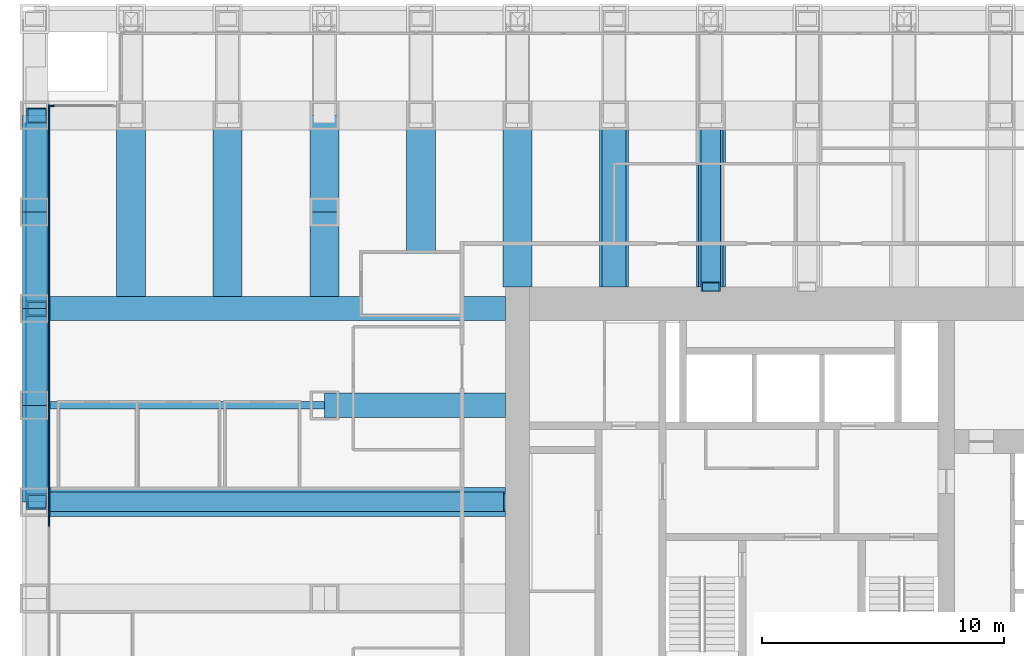
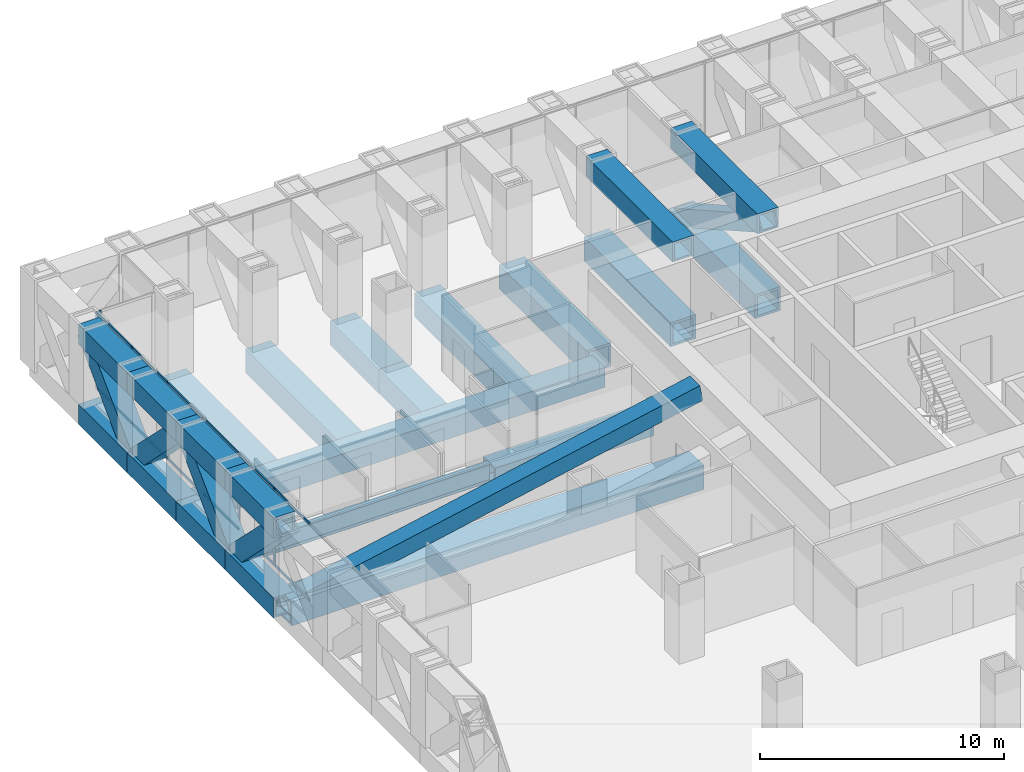
# One storey, part 7 of 18: 25 members, 22 beams, 2 elements without a shape of their own.
"""IFC4 building model written with IfcOpenShell, lengths in metres."""

from ifc_helpers import new_model, si_unit, direction, frame, origin, origin_2d, place, context, subcontext, project, spatial, rectangle, hollow_rectangle, i_section, extrude, material, material_profile, profile_set, type_object, element, aggregate, save


model = new_model("IFC4")

# Units and contexts
model_context = context("Model", 3, precision=1e-05, world=origin(), true_north=direction((0.0, 1.0)))
body_context = subcontext(model_context, "Body", "Model", "MODEL_VIEW")
ifc_project = project(units=[si_unit("LENGTHUNIT", "METRE"), si_unit("AREAUNIT", "SQUARE_METRE"), si_unit("VOLUMEUNIT", "CUBIC_METRE"), si_unit("PLANEANGLEUNIT", "RADIAN"), si_unit("MASSUNIT", "GRAM", prefix="KILO")], contexts=[model_context])

# Site, building, storey
site_placement = place(None, origin())
site = spatial("IfcSite", under=ifc_project, at=site_placement, CompositionType="ELEMENT")
building_placement = place(site_placement, origin())
building = spatial("IfcBuilding", under=site, at=building_placement, Name="Rimbunsela Tower", CompositionType="ELEMENT")
storey_placement = place(building_placement, frame((0.0, 0.0, 43.0)))
storey = spatial("IfcBuildingStorey", under=building, at=storey_placement, Name="L10", CompositionType="ELEMENT", Elevation=43.0)

# Beams
ifc_material_1 = material(Name="Steel BJ 55 (fy 410 MPa)", Category="steel")
ifc_material_profile_1 = material_profile(ifc_material_1, hollow_rectangle(XDim=1.0, YDim=1.0, WallThickness=0.10009765625, at=origin_2d()), Name="BOX 1000x1000x100")
ifc_profile_set_1 = profile_set([ifc_material_profile_1], Name="Steel BJ 55 (fy 410 MPa)")
beam_type_1 = type_object("IfcBeamType", Name="Beam BOX 1000x1000x100", PredefinedType="BEAM", material=ifc_profile_set_1)
beam_1_placement = place(storey_placement, frame((-2.0, 36.0, -0.64990234375), z_axis=(1.0, 0.0, 0.0), x_axis=(0.0, 1.0, 0.0)))
element("IfcBeam", 1, at=beam_1_placement, inside=storey, type_object=beam_type_1, Name="Beam B3 L10", PredefinedType="BEAM", context=body_context, shape_type="SweptSolid", body=[
    extrude(hollow_rectangle(XDim=1.0, YDim=1.0, WallThickness=0.10009765625, at=origin_2d()), origin(), (0.0, 0.0, 1.0), 19.5),
])
beam_2_placement = place(storey_placement, frame((10.0, 32.0, -0.64990234375), z_axis=(1.0, 0.0, 0.0), x_axis=(0.0, 1.0, 0.0)))
element("IfcBeam", 2, at=beam_2_placement, inside=storey, type_object=beam_type_1, Name="Beam B3 L10", PredefinedType="BEAM", context=body_context, shape_type="SweptSolid", body=[
    extrude(hollow_rectangle(XDim=1.0, YDim=1.0, WallThickness=0.10009765625, at=origin_2d()), origin(), (0.0, 0.0, 1.0), 7.5),
])
ifc_material_2 = material(Name="Steel BJ 55 (fy 410 MPa)", Category="steel")
ifc_material_profile_2 = material_profile(ifc_material_2, hollow_rectangle(XDim=1.199951171875, YDim=1.199951171875, WallThickness=0.10009765625, at=origin_2d()), Name="BOX 1200x1200x100")
ifc_profile_set_2 = profile_set([ifc_material_profile_2], Name="Steel BJ 55 (fy 410 MPa)")
beam_type_2 = type_object("IfcBeamType", Name="Beam BOX 1200x1200x100", PredefinedType="BEAM", material=ifc_profile_set_2)
beam_3_placement = place(storey_placement, frame((-2.0, 28.0, -0.75), z_axis=(1.0, 0.0, 0.0), x_axis=(0.0, 1.0, 0.0)))
element("IfcBeam", 3, at=beam_3_placement, inside=storey, type_object=beam_type_2, Name="Beam B5 L10", PredefinedType="BEAM", context=body_context, shape_type="SweptSolid", body=[
    extrude(hollow_rectangle(XDim=1.199951171875, YDim=1.199951171875, WallThickness=0.10009765625, at=origin_2d()), origin(), (0.0, 0.0, 1.0), 19.5),
])
beam_4_placement = place(storey_placement, frame((10.0, 36.5, -0.75), z_axis=(0.0, 1.0, 0.0), x_axis=(-1.0, 0.0, 0.0)))
element("IfcBeam", 4, at=beam_4_placement, inside=storey, type_object=beam_type_2, Name="Beam B5 L10", PredefinedType="BEAM", context=body_context, shape_type="SweptSolid", body=[
    extrude(hollow_rectangle(XDim=1.199951171875, YDim=1.199951171875, WallThickness=0.10009765625, at=origin_2d()), origin(), (0.0, 0.0, 1.0), 3.5),
])
ifc_material_3 = material(Name="Steel BJ 55 (fy 410 MPa)", Category="steel")
ifc_material_profile_3 = material_profile(ifc_material_3, hollow_rectangle(XDim=1.199951171875, YDim=1.199951171875, WallThickness=0.125, at=origin_2d()), Name="BOX 1200x1200x125")
ifc_profile_set_3 = profile_set([ifc_material_profile_3], Name="Steel BJ 55 (fy 410 MPa)")
beam_type_3 = type_object("IfcBeamType", Name="Beam BOX 1200x1200x125", PredefinedType="BEAM", material=ifc_profile_set_3)
for number, where, z_axis, x_axis, name in (
    (5, (2.0, 36.5, -0.75), (0.0, 1.0, 0.0), (-1.0, 0.0, 0.0), "Beam B4 L10"),
    (6, (6.0, 36.5, -0.75), (0.0, 1.0, 0.0), (-1.0, 0.0, 0.0), "Beam B4 L10"),
):
    element("IfcBeam", number, at=place(storey_placement, frame(where, z_axis=z_axis, x_axis=x_axis)), inside=storey, type_object=beam_type_3, Name=name, PredefinedType="BEAM", context=body_context, shape_type="SweptSolid", body=[
        extrude(hollow_rectangle(XDim=1.199951171875, YDim=1.199951171875, WallThickness=0.125, at=origin_2d()), origin(), (0.0, 0.0, 1.0), 7.5),
    ])
beam_5_placement = place(storey_placement, frame((10.0, 40.0, -0.75), z_axis=(0.0, 1.0, 0.0), x_axis=(-1.0, 0.0, 0.0)))
element("IfcBeam", 7, at=beam_5_placement, inside=storey, type_object=beam_type_3, Name="Beam B4 L10", PredefinedType="BEAM", context=body_context, shape_type="SweptSolid", body=[
    extrude(hollow_rectangle(XDim=1.199951171875, YDim=1.199951171875, WallThickness=0.125, at=origin_2d()), origin(), (0.0, 0.0, 1.0), 4.0),
])
beam_6_placement = place(storey_placement, frame((14.0, 36.5, -0.75), z_axis=(0.0, 1.0, 0.0), x_axis=(-1.0, 0.0, 0.0)))
element("IfcBeam", 8, at=beam_6_placement, inside=storey, type_object=beam_type_3, Name="Beam B4 L10", PredefinedType="BEAM", context=body_context, shape_type="SweptSolid", body=[
    extrude(hollow_rectangle(XDim=1.199951171875, YDim=1.199951171875, WallThickness=0.125, at=origin_2d()), origin(), (0.0, 0.0, 1.0), 7.5),
])
for number, where, z_axis, x_axis, name in (
    (9, (18.0, 36.89990234375, -0.75), (0.0, 1.0, 0.0), (-1.0, 0.0, 0.0), "Beam B4 L10"),
    (10, (22.0, 36.89990234375, -0.75), (0.0, 1.0, 0.0), (-1.0, 0.0, 0.0), "Beam B4 L10"),
    (11, (26.0, 36.89990234375, -0.75), (0.0, 1.0, 0.0), (-1.0, 0.0, 0.0), "Beam B4 L10"),
):
    element("IfcBeam", number, at=place(storey_placement, frame(where, z_axis=z_axis, x_axis=x_axis)), inside=storey, type_object=beam_type_3, Name=name, PredefinedType="BEAM", context=body_context, shape_type="SweptSolid", body=[
        extrude(hollow_rectangle(XDim=1.199951171875, YDim=1.199951171875, WallThickness=0.125, at=origin_2d()), origin(), (0.0, 0.0, 1.0), 7.10009765625),
    ])
ifc_material_4 = material(Name="Steel BJ 55 (fy 410 MPa)", Category="steel")
ifc_material_profile_4 = material_profile(ifc_material_4, i_section(OverallWidth=0.300048828125, OverallDepth=0.89990234375, WebThickness=0.01611328125, FlangeThickness=0.028076171875, FilletRadius=0.028076171875, at=origin_2d()), Name="H 900x300x16x28")
ifc_profile_set_4 = profile_set([ifc_material_profile_4], Name="Steel BJ 55 (fy 410 MPa)")
beam_type_4 = type_object("IfcBeamType", Name="Beam H 900x300x16x28", PredefinedType="BEAM", material=ifc_profile_set_4)
beam_7_placement = place(storey_placement, frame((-2.0, 32.0, -0.60009765625), z_axis=(1.0, 0.0, 0.0), x_axis=(0.0, 1.0, 0.0)))
element("IfcBeam", 12, at=beam_7_placement, inside=storey, type_object=beam_type_4, Name="Beam B2 L10", PredefinedType="BEAM", context=body_context, shape_type="SweptSolid", body=[
    extrude(i_section(OverallWidth=0.300048828125, OverallDepth=0.89990234375, WebThickness=0.01611328125, FlangeThickness=0.028076171875, FilletRadius=0.028076171875, at=origin_2d()), origin(), (0.0, 0.0, 1.0), 12.0),
])

# Curtain wall, member
ifc_material_5 = material(Name="Aluminium curtain wall", Category="aluminium")
curtain_wall_type_1 = type_object("IfcCurtainWallType", Name="Corner glazing", PredefinedType="USERDEFINED", material=ifc_material_5)
curtain_wall_1_placement = place(storey_placement, origin())
curtain_wall_1 = element("IfcCurtainWall", 13, at=curtain_wall_1_placement, inside=storey, type_object=curtain_wall_type_1, Name="Corner glazing L10", ObjectType="CORNER GLAZING", PredefinedType="USERDEFINED")
ifc_material_6 = material(Name="Aluminium mullion", Category="aluminium")
ifc_material_profile_5 = material_profile(ifc_material_6, rectangle(XDim=0.06005859375, YDim=0.159912109375, at=origin_2d()), Name="Mullion 60x160")
ifc_profile_set_5 = profile_set([ifc_material_profile_5], Name="Aluminium mullion")
member_type_1 = type_object("IfcMemberType", Name="Curtain wall mullion 60x160", PredefinedType="MULLION", material=ifc_profile_set_5)
member_1_placement = place(storey_placement, frame((-1.27001953125, 44.39990234375, 0.0), z_axis=(0.0, 0.0, 1.0), x_axis=(0.0, -1.0, 0.0)))
member_1 = element("IfcMember", 14, at=member_1_placement, type_object=member_type_1, Name="CW5 mullion 2", PredefinedType="MULLION", context=body_context, shape_type="SweptSolid", body=[
    extrude(rectangle(XDim=0.06005859375, YDim=0.159912109375, at=origin_2d()), origin(), (0.0, 0.0, 1.0), 3.85009765625),
])
aggregate(curtain_wall_1, [member_1])

# Curtain wall, members
ifc_material_7 = material(Name="Aluminium curtain wall", Category="aluminium")
curtain_wall_type_2 = type_object("IfcCurtainWallType", Name="Exoskeleton storey infill", PredefinedType="USERDEFINED", material=ifc_material_7)
curtain_wall_2_placement = place(storey_placement, origin())
curtain_wall_2 = element("IfcCurtainWall", 15, at=curtain_wall_2_placement, inside=storey, type_object=curtain_wall_type_2, Name="Exoskeleton storey infill L10", ObjectType="EXOSKELETON STOREY INFILL", PredefinedType="USERDEFINED")
member_2_placement = place(storey_placement, frame((-1.39990234375, 44.3701171875, 0.0), z_axis=(0.0, 0.0, 1.0), x_axis=(1.0, 0.0, 0.0)))
member_2 = element("IfcMember", 16, at=member_2_placement, type_object=member_type_1, Name="CW2 mullion 1", PredefinedType="MULLION", context=body_context, shape_type="SweptSolid", body=[
    extrude(rectangle(XDim=0.06005859375, YDim=0.159912109375, at=origin_2d()), origin(), (0.0, 0.0, 1.0), 3.85009765625),
])
member_3_placement = place(storey_placement, frame((-1.39990234375, 41.485595703125, 0.0), z_axis=(0.0, 0.0, 1.0), x_axis=(1.0, 0.0, 0.0)))
member_3 = element("IfcMember", 17, at=member_3_placement, type_object=member_type_1, Name="CW2 mullion 2", PredefinedType="MULLION", context=body_context, shape_type="SweptSolid", body=[
    extrude(rectangle(XDim=0.06005859375, YDim=0.159912109375, at=origin_2d()), origin(), (0.0, 0.0, 1.0), 3.85009765625),
])
member_4_placement = place(storey_placement, frame((-1.39990234375, 38.571533203125, 0.0), z_axis=(0.0, 0.0, 1.0), x_axis=(1.0, 0.0, 0.0)))
member_4 = element("IfcMember", 18, at=member_4_placement, type_object=member_type_1, Name="CW2 mullion 3", PredefinedType="MULLION", context=body_context, shape_type="SweptSolid", body=[
    extrude(rectangle(XDim=0.06005859375, YDim=0.159912109375, at=origin_2d()), origin(), (0.0, 0.0, 1.0), 3.85009765625),
])
member_5_placement = place(storey_placement, frame((-1.39990234375, 35.6572265625, 0.0), z_axis=(0.0, 0.0, 1.0), x_axis=(1.0, 0.0, 0.0)))
member_5 = element("IfcMember", 19, at=member_5_placement, type_object=member_type_1, Name="CW2 mullion 4", PredefinedType="MULLION", context=body_context, shape_type="SweptSolid", body=[
    extrude(rectangle(XDim=0.06005859375, YDim=0.159912109375, at=origin_2d()), origin(), (0.0, 0.0, 1.0), 3.85009765625),
])
member_6_placement = place(storey_placement, frame((-1.39990234375, 32.742919921875, 0.0), z_axis=(0.0, 0.0, 1.0), x_axis=(1.0, 0.0, 0.0)))
member_6 = element("IfcMember", 20, at=member_6_placement, type_object=member_type_1, Name="CW2 mullion 5", PredefinedType="MULLION", context=body_context, shape_type="SweptSolid", body=[
    extrude(rectangle(XDim=0.06005859375, YDim=0.159912109375, at=origin_2d()), origin(), (0.0, 0.0, 1.0), 3.85009765625),
])
member_7_placement = place(storey_placement, frame((-1.39990234375, 29.82861328125, 0.0), z_axis=(0.0, 0.0, 1.0), x_axis=(1.0, 0.0, 0.0)))
member_7 = element("IfcMember", 21, at=member_7_placement, type_object=member_type_1, Name="CW2 mullion 6", PredefinedType="MULLION", context=body_context, shape_type="SweptSolid", body=[
    extrude(rectangle(XDim=0.06005859375, YDim=0.159912109375, at=origin_2d()), origin(), (0.0, 0.0, 1.0), 3.85009765625),
])
ifc_material_8 = material(Name="Aluminium transom", Category="aluminium")
ifc_material_profile_6 = material_profile(ifc_material_8, rectangle(XDim=0.06005859375, YDim=0.1201171875, at=origin_2d()), Name="Transom 60x120")
ifc_profile_set_6 = profile_set([ifc_material_profile_6], Name="Aluminium transom")
member_type_2 = type_object("IfcMemberType", Name="Curtain wall transom 60x120", PredefinedType="USERDEFINED", material=ifc_profile_set_6)
member_8_placement = place(storey_placement, frame((-1.39990234375, 44.340087890625, 0.030029296875), z_axis=(0.0, -1.0, 0.0), x_axis=(1.0, 0.0, 0.0)))
member_8 = element("IfcMember", 22, at=member_8_placement, type_object=member_type_2, Name="CW2 transom 1.1", ObjectType="TRANSOM", PredefinedType="USERDEFINED", context=body_context, shape_type="SweptSolid", body=[
    extrude(rectangle(XDim=0.06005859375, YDim=0.1201171875, at=origin_2d()), origin(), (0.0, 0.0, 1.0), 2.824462890625),
])
member_9_placement = place(storey_placement, frame((-1.39990234375, 44.340087890625, 3.820068359375), z_axis=(0.0, -1.0, 0.0), x_axis=(1.0, 0.0, 0.0)))
member_9 = element("IfcMember", 23, at=member_9_placement, type_object=member_type_2, Name="CW2 transom 1.2", ObjectType="TRANSOM", PredefinedType="USERDEFINED", context=body_context, shape_type="SweptSolid", body=[
    extrude(rectangle(XDim=0.06005859375, YDim=0.1201171875, at=origin_2d()), origin(), (0.0, 0.0, 1.0), 2.824462890625),
])
member_10_placement = place(storey_placement, frame((-1.39990234375, 41.455810546875, 0.030029296875), z_axis=(0.0, -1.0, 0.0), x_axis=(1.0, 0.0, 0.0)))
member_10 = element("IfcMember", 24, at=member_10_placement, type_object=member_type_2, Name="CW2 transom 2.1", ObjectType="TRANSOM", PredefinedType="USERDEFINED", context=body_context, shape_type="SweptSolid", body=[
    extrude(rectangle(XDim=0.06005859375, YDim=0.1201171875, at=origin_2d()), origin(), (0.0, 0.0, 1.0), 2.8544921875),
])
member_11_placement = place(storey_placement, frame((-1.39990234375, 41.455810546875, 3.820068359375), z_axis=(0.0, -1.0, 0.0), x_axis=(1.0, 0.0, 0.0)))
member_11 = element("IfcMember", 25, at=member_11_placement, type_object=member_type_2, Name="CW2 transom 2.2", ObjectType="TRANSOM", PredefinedType="USERDEFINED", context=body_context, shape_type="SweptSolid", body=[
    extrude(rectangle(XDim=0.06005859375, YDim=0.1201171875, at=origin_2d()), origin(), (0.0, 0.0, 1.0), 2.8544921875),
])
member_12_placement = place(storey_placement, frame((-1.39990234375, 38.54150390625, 0.030029296875), z_axis=(0.0, -1.0, 0.0), x_axis=(1.0, 0.0, 0.0)))
member_12 = element("IfcMember", 26, at=member_12_placement, type_object=member_type_2, Name="CW2 transom 3.1", ObjectType="TRANSOM", PredefinedType="USERDEFINED", context=body_context, shape_type="SweptSolid", body=[
    extrude(rectangle(XDim=0.06005859375, YDim=0.1201171875, at=origin_2d()), origin(), (0.0, 0.0, 1.0), 2.854248046875),
])
member_13_placement = place(storey_placement, frame((-1.39990234375, 38.54150390625, 3.820068359375), z_axis=(0.0, -1.0, 0.0), x_axis=(1.0, 0.0, 0.0)))
member_13 = element("IfcMember", 27, at=member_13_placement, type_object=member_type_2, Name="CW2 transom 3.2", ObjectType="TRANSOM", PredefinedType="USERDEFINED", context=body_context, shape_type="SweptSolid", body=[
    extrude(rectangle(XDim=0.06005859375, YDim=0.1201171875, at=origin_2d()), origin(), (0.0, 0.0, 1.0), 2.854248046875),
])
member_14_placement = place(storey_placement, frame((-1.39990234375, 35.627197265625, 0.030029296875), z_axis=(0.0, -1.0, 0.0), x_axis=(1.0, 0.0, 0.0)))
member_14 = element("IfcMember", 28, at=member_14_placement, type_object=member_type_2, Name="CW2 transom 4.1", ObjectType="TRANSOM", PredefinedType="USERDEFINED", context=body_context, shape_type="SweptSolid", body=[
    extrude(rectangle(XDim=0.06005859375, YDim=0.1201171875, at=origin_2d()), origin(), (0.0, 0.0, 1.0), 2.854248046875),
])
member_15_placement = place(storey_placement, frame((-1.39990234375, 35.627197265625, 3.820068359375), z_axis=(0.0, -1.0, 0.0), x_axis=(1.0, 0.0, 0.0)))
member_15 = element("IfcMember", 29, at=member_15_placement, type_object=member_type_2, Name="CW2 transom 4.2", ObjectType="TRANSOM", PredefinedType="USERDEFINED", context=body_context, shape_type="SweptSolid", body=[
    extrude(rectangle(XDim=0.06005859375, YDim=0.1201171875, at=origin_2d()), origin(), (0.0, 0.0, 1.0), 2.854248046875),
])
member_16_placement = place(storey_placement, frame((-1.39990234375, 32.712890625, 0.030029296875), z_axis=(0.0, -1.0, 0.0), x_axis=(1.0, 0.0, 0.0)))
member_16 = element("IfcMember", 30, at=member_16_placement, type_object=member_type_2, Name="CW2 transom 5.1", ObjectType="TRANSOM", PredefinedType="USERDEFINED", context=body_context, shape_type="SweptSolid", body=[
    extrude(rectangle(XDim=0.06005859375, YDim=0.1201171875, at=origin_2d()), origin(), (0.0, 0.0, 1.0), 2.854248046875),
])
member_17_placement = place(storey_placement, frame((-1.39990234375, 32.712890625, 3.820068359375), z_axis=(0.0, -1.0, 0.0), x_axis=(1.0, 0.0, 0.0)))
member_17 = element("IfcMember", 31, at=member_17_placement, type_object=member_type_2, Name="CW2 transom 5.2", ObjectType="TRANSOM", PredefinedType="USERDEFINED", context=body_context, shape_type="SweptSolid", body=[
    extrude(rectangle(XDim=0.06005859375, YDim=0.1201171875, at=origin_2d()), origin(), (0.0, 0.0, 1.0), 2.854248046875),
])
member_18_placement = place(storey_placement, frame((-1.39990234375, 29.798583984375, 0.030029296875), z_axis=(0.0, -1.0, 0.0), x_axis=(1.0, 0.0, 0.0)))
member_18 = element("IfcMember", 32, at=member_18_placement, type_object=member_type_2, Name="CW2 transom 6.1", ObjectType="TRANSOM", PredefinedType="USERDEFINED", context=body_context, shape_type="SweptSolid", body=[
    extrude(rectangle(XDim=0.06005859375, YDim=0.1201171875, at=origin_2d()), origin(), (0.0, 0.0, 1.0), 2.854248046875),
])
member_19_placement = place(storey_placement, frame((-1.39990234375, 29.798583984375, 3.820068359375), z_axis=(0.0, -1.0, 0.0), x_axis=(1.0, 0.0, 0.0)))
member_19 = element("IfcMember", 33, at=member_19_placement, type_object=member_type_2, Name="CW2 transom 6.2", ObjectType="TRANSOM", PredefinedType="USERDEFINED", context=body_context, shape_type="SweptSolid", body=[
    extrude(rectangle(XDim=0.06005859375, YDim=0.1201171875, at=origin_2d()), origin(), (0.0, 0.0, 1.0), 2.854248046875),
])
aggregate(curtain_wall_2, [member_2, member_3, member_4, member_5, member_6, member_7, member_8, member_9, member_10, member_11, member_12, member_13, member_14, member_15, member_16, member_17, member_18, member_19])

# Members
ifc_material_9 = material(Name="Steel BJ 55 (fy 410 MPa)", Category="steel")
ifc_material_profile_7 = material_profile(ifc_material_9, hollow_rectangle(XDim=0.800048828125, YDim=0.800048828125, WallThickness=0.06005859375, at=origin_2d()), Name="BOX 800x800x60")
ifc_profile_set_7 = profile_set([ifc_material_profile_7], Name="Steel BJ 55 (fy 410 MPa)")
member_type_3 = type_object("IfcMemberType", Name="Outrigger brace BOX 800x800x60", PredefinedType="BRACE", material=ifc_profile_set_7)
member_20_placement = place(storey_placement, frame((26.0, 44.0, -0.64990234375), z_axis=(0.0, -0.871250514853, 0.490838609289), x_axis=(1.0, 0.0, 0.0)))
element("IfcMember", 34, at=member_20_placement, inside=storey, type_object=member_type_3, Name="Outrigger brace OB1 N L10", PredefinedType="BRACE", context=body_context, shape_type="SweptSolid", body=[
    extrude(hollow_rectangle(XDim=0.800048828125, YDim=0.800048828125, WallThickness=0.06005859375, at=origin_2d()), origin(), (0.0, 0.0, 1.0), 8.1494140625),
])
member_21_placement = place(storey_placement, frame((-2.0, 28.0, -0.64990234375), z_axis=(0.979602700641, 0.0, 0.200944143721), x_axis=(0.0, 1.0, 0.0)))
element("IfcMember", 35, at=member_21_placement, inside=storey, type_object=member_type_3, Name="Outrigger brace OB1 W L10", PredefinedType="BRACE", context=body_context, shape_type="SweptSolid", body=[
    extrude(hollow_rectangle(XDim=0.800048828125, YDim=0.800048828125, WallThickness=0.06005859375, at=origin_2d()), origin(), (0.0, 0.0, 1.0), 19.906005859375),
])

# Beams
ifc_material_10 = material(Name="Steel BJ 55 (fy 410 MPa)", Category="steel")
ifc_material_profile_8 = material_profile(ifc_material_10, hollow_rectangle(XDim=1.0, YDim=1.0, WallThickness=0.10009765625, at=origin_2d()), Name="BOX 1000x1000x100")
ifc_profile_set_8 = profile_set([ifc_material_profile_8], Name="Steel BJ 55 (fy 410 MPa)")
beam_type_5 = type_object("IfcBeamType", Name="Truss chord BOX 1000x1000x100", PredefinedType="USERDEFINED", material=ifc_profile_set_8)
for number, where, z_axis, x_axis, name in (
    (36, (-2.0, 28.0, 3.35009765625), (0.0, 1.0, 0.0), (-1.0, 0.0, 0.0), "Truss top chord TC1 W face L10"),
    (37, (-2.0, 32.0, 3.35009765625), (0.0, 1.0, 0.0), (-1.0, 0.0, 0.0), "Truss top chord TC1 W face L10"),
    (38, (-2.0, 36.0, 3.35009765625), (0.0, 1.0, 0.0), (-1.0, 0.0, 0.0), "Truss top chord TC1 W face L10"),
    (39, (-2.0, 40.0, 3.35009765625), (0.0, 1.0, 0.0), (-1.0, 0.0, 0.0), "Truss top chord TC1 W face L10"),
    (40, (-2.0, 28.0, -0.64990234375), (0.0, 1.0, 0.0), (-1.0, 0.0, 0.0), "Truss bottom chord TC1 W face L10"),
    (41, (-2.0, 32.0, -0.64990234375), (0.0, 1.0, 0.0), (-1.0, 0.0, 0.0), "Truss bottom chord TC1 W face L10"),
    (42, (-2.0, 36.0, -0.64990234375), (0.0, 1.0, 0.0), (-1.0, 0.0, 0.0), "Truss bottom chord TC1 W face L10"),
    (43, (-2.0, 40.0, -0.64990234375), (0.0, 1.0, 0.0), (-1.0, 0.0, 0.0), "Truss bottom chord TC1 W face L10"),
):
    element("IfcBeam", number, at=place(storey_placement, frame(where, z_axis=z_axis, x_axis=x_axis)), inside=storey, type_object=beam_type_5, Name=name, ObjectType="TRUSS CHORD", PredefinedType="USERDEFINED", context=body_context, shape_type="SweptSolid", body=[
        extrude(hollow_rectangle(XDim=1.0, YDim=1.0, WallThickness=0.10009765625, at=origin_2d()), origin(), (0.0, 0.0, 1.0), 4.0),
    ])
for number, where, z_axis, x_axis, name in (
    (44, (22.0, 36.89990234375, 3.35009765625), (0.0, 1.0, 0.0), (-1.0, 0.0, 0.0), "Cantilever truss top chord TC1 8/P L10"),
    (45, (26.0, 36.89990234375, 3.35009765625), (0.0, 1.0, 0.0), (-1.0, 0.0, 0.0), "Cantilever truss top chord TC1 9/P L10"),
):
    element("IfcBeam", number, at=place(storey_placement, frame(where, z_axis=z_axis, x_axis=x_axis)), inside=storey, type_object=beam_type_5, Name=name, ObjectType="TRUSS CHORD", PredefinedType="USERDEFINED", context=body_context, shape_type="SweptSolid", body=[
        extrude(hollow_rectangle(XDim=1.0, YDim=1.0, WallThickness=0.10009765625, at=origin_2d()), origin(), (0.0, 0.0, 1.0), 7.10009765625),
    ])

# Members
ifc_material_11 = material(Name="Steel BJ 55 (fy 410 MPa)", Category="steel")
ifc_material_profile_9 = material_profile(ifc_material_11, hollow_rectangle(XDim=0.89990234375, YDim=0.89990234375, WallThickness=0.080078125, at=origin_2d()), Name="BOX 900x900x80")
ifc_profile_set_9 = profile_set([ifc_material_profile_9], Name="Steel BJ 55 (fy 410 MPa)")
member_type_4 = type_object("IfcMemberType", Name="Truss diagonal BOX 900x900x80", PredefinedType="BRACE", material=ifc_profile_set_9)
for number, where, z_axis, x_axis, name in (
    (46, (-1.89990234375, 28.0, 3.35009765625), (0.0, 0.707106781187, -0.707106781187), (-1.0, 0.0, 0.0), "Truss diagonal TD1 W face L10"),
    (47, (-1.89990234375, 32.0, -0.64990234375), (0.0, 0.707106781187, 0.707106781187), (-1.0, 0.0, 0.0), "Truss diagonal TD1 W face L10"),
    (48, (-1.89990234375, 36.0, 3.35009765625), (0.0, 0.707106781187, -0.707106781187), (-1.0, 0.0, 0.0), "Truss diagonal TD1 W face L10"),
    (49, (-1.89990234375, 40.0, -0.64990234375), (0.0, 0.707106781187, 0.707106781187), (-1.0, 0.0, 0.0), "Truss diagonal TD1 W face L10"),
):
    element("IfcMember", number, at=place(storey_placement, frame(where, z_axis=z_axis, x_axis=x_axis)), inside=storey, type_object=member_type_4, Name=name, PredefinedType="BRACE", context=body_context, shape_type="SweptSolid", body=[
        extrude(hollow_rectangle(XDim=0.89990234375, YDim=0.89990234375, WallThickness=0.080078125, at=origin_2d()), origin(), (0.0, 0.0, 1.0), 5.65673828125),
    ])

save(model, "model.ifc")
